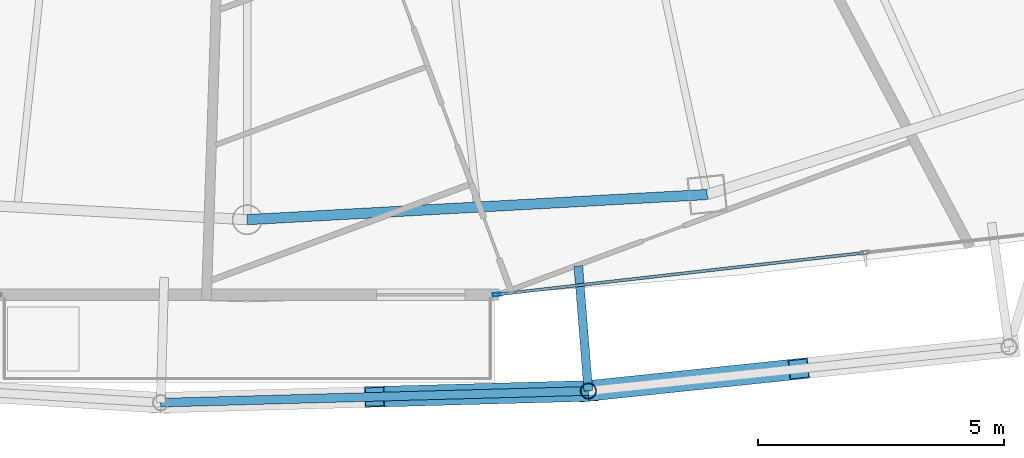
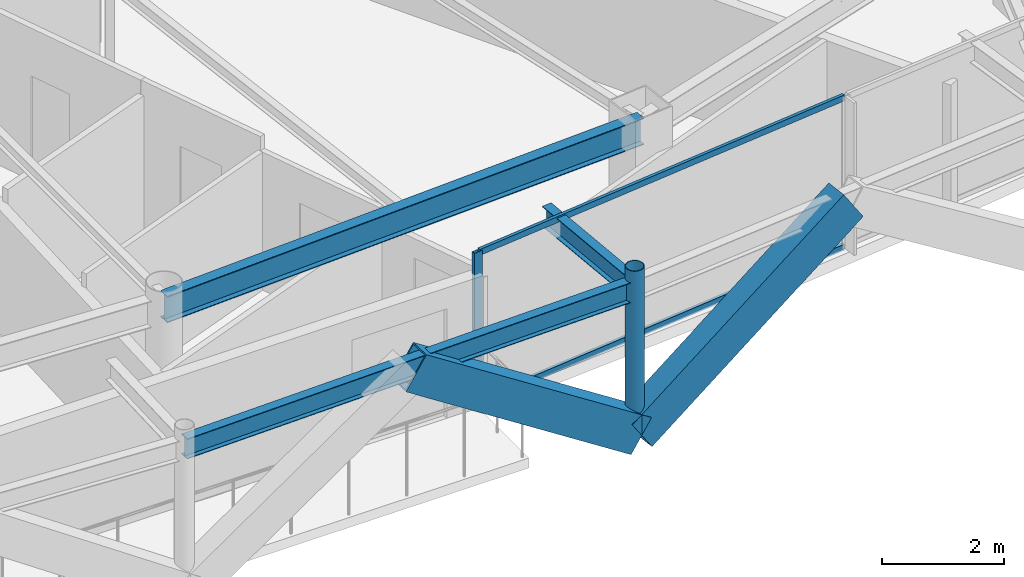
# One storey, part 8 of 30: 6 members, 3 beams, 1 element without a shape of its own.
"""IFC4 building model written with IfcOpenShell, lengths in metres."""

from ifc_helpers import new_model, si_unit, direction, frame, origin, origin_2d, place, context, subcontext, project, spatial, hollow_rectangle, hollow_circle, i_section, extrude, material, layer, layer_set, material_profile, profile_set, type_object, element, aggregate, save


model = new_model("IFC4")

# Units and contexts
model_context = context("Model", 3, precision=1e-05, world=origin(), true_north=direction((0.0, 1.0)))
body_context = subcontext(model_context, "Body", "Model", "MODEL_VIEW")
ifc_project = project(units=[si_unit("LENGTHUNIT", "METRE"), si_unit("AREAUNIT", "SQUARE_METRE"), si_unit("VOLUMEUNIT", "CUBIC_METRE"), si_unit("PLANEANGLEUNIT", "RADIAN"), si_unit("MASSUNIT", "GRAM", prefix="KILO")], contexts=[model_context])

# Site, building, storey
site_placement = place(None, origin())
site = spatial("IfcSite", under=ifc_project, at=site_placement, CompositionType="ELEMENT")
building_placement = place(site_placement, origin())
building = spatial("IfcBuilding", under=site, at=building_placement, Name="Orvanel Arch Residences", CompositionType="ELEMENT")
storey_placement = place(building_placement, frame((0.0, 0.0, 240.35009765625)))
storey = spatial("IfcBuildingStorey", under=building, at=storey_placement, Name="L68", CompositionType="ELEMENT", Elevation=240.35009765625)

# Members
ifc_material_1 = material(Name="Structural steel AS/NZS 3678 Grade 350", Category="steel")
ifc_material_profile_1 = material_profile(ifc_material_1, hollow_rectangle(XDim=0.419921875, YDim=0.719970703125, WallThickness=0.02490234375, at=origin_2d()), Name="RHS720x420x25")
ifc_profile_set_1 = profile_set([ifc_material_profile_1], Name="Structural steel AS/NZS 3678 Grade 350")
member_type_1 = type_object("IfcMemberType", Name="BR-720RHS-EXT", PredefinedType="BRACE", material=ifc_profile_set_1)
member_1_placement = place(storey_placement, frame((39.93408203125, 3.362060546875, 0.0), z_axis=(-0.835466689227, -0.022897211296, 0.549063865963), x_axis=(0.027396205263, -0.999624653526, 0.0)))
element("IfcMember", 1, at=member_1_placement, inside=storey, type_object=member_type_1, Name="L68 Exterior Sky-Garden V-Frame Chevron F2B2.2", PredefinedType="BRACE", context=body_context, shape_type="SweptSolid", body=[
    extrude(hollow_rectangle(XDim=0.419921875, YDim=0.719970703125, WallThickness=0.02490234375, at=origin_2d()), origin(), (0.0, 0.0, 1.0), 5.203369140625),
])
member_2_placement = place(storey_placement, frame((39.93408203125, 3.362060546875, 0.0), z_axis=(0.828402159639, 0.086774629692, 0.553371507712), x_axis=(-0.104179408904, 0.994558520531, 0.0)))
element("IfcMember", 2, at=member_2_placement, inside=storey, type_object=member_type_1, Name="L68 Exterior Sky-Garden V-Frame Chevron F2B3.1", PredefinedType="BRACE", context=body_context, shape_type="SweptSolid", body=[
    extrude(hollow_rectangle(XDim=0.419921875, YDim=0.719970703125, WallThickness=0.02490234375, at=origin_2d()), origin(), (0.0, 0.0, 1.0), 5.162841796875),
])

# Curtain wall, member
ifc_material_2 = material(Name="Bronze-anodised aluminium AA6063-T6", Category="aluminium")
ifc_layer = layer(ifc_material_2, 0.175048828125)
ifc_layer_set = layer_set([ifc_layer], Name="Bronze-anodised aluminium AA6063-T6")
curtain_wall_type = type_object("IfcCurtainWallType", Name="CW4-HI-SYS", PredefinedType="NOTDEFINED", material=ifc_layer_set)
curtain_wall_placement = place(storey_placement, origin())
curtain_wall = element("IfcCurtainWall", 3, at=curtain_wall_placement, inside=storey, type_object=curtain_wall_type, Name="L68 CW4-HI-SYS Unitised Curtain Wall", PredefinedType="NOTDEFINED")
ifc_material_profile_2 = material_profile(ifc_material_2, hollow_rectangle(XDim=0.06494140625, YDim=0.159912109375, WallThickness=0.00390625, at=origin_2d()), Name="ALU160x65x4")
ifc_profile_set_2 = profile_set([ifc_material_profile_2], Name="Bronze-anodised aluminium AA6063-T6")
member_type_2 = type_object("IfcMemberType", Name="MUL-160x65", PredefinedType="MULLION", material=ifc_profile_set_2)
member_3_placement = place(storey_placement, frame((38.07421875, 5.32177734375, 0.0), z_axis=(0.0, 0.0, 1.0), x_axis=(-0.113000186209, 0.993594966733, 0.0)))
member_3 = element("IfcMember", 4, at=member_3_placement, type_object=member_type_2, Name="CW-S4 mullion 1", PredefinedType="MULLION", context=body_context, shape_type="SweptSolid", body=[
    extrude(hollow_rectangle(XDim=0.06494140625, YDim=0.159912109375, WallThickness=0.00390625, at=origin_2d()), origin(), (0.0, 0.0, 1.0), 3.059814453125),
])

# Beams
ifc_material_3 = material(Name="Structural steel AS/NZS 3679.1 Grade 300 (300 MPa)", Category="steel")
ifc_material_profile_3 = material_profile(ifc_material_3, i_section(OverallWidth=0.177978515625, OverallDepth=0.406005859375, WebThickness=0.0078125, FlangeThickness=0.0126953125, at=origin_2d()), Name="410UB59.7")
ifc_profile_set_3 = profile_set([ifc_material_profile_3], Name="Structural steel AS/NZS 3679.1 Grade 300 (300 MPa)")
beam_type_1 = type_object("IfcBeamType", Name="OB-410UB-EXT", PredefinedType="SPANDREL", material=ifc_profile_set_3)
beam_1_placement = place(storey_placement, frame((31.239990234375, 3.123046875, 2.85693359375), z_axis=(0.999622322633, 0.027481122514, 0.0), x_axis=(-0.027481122514, 0.999622322633, 0.0)))
element("IfcBeam", 5, at=beam_1_placement, inside=storey, type_object=beam_type_1, Name="L68 Outer Perimeter Floor Ring Beam 06", PredefinedType="SPANDREL", context=body_context, shape_type="SweptSolid", body=[
    extrude(i_section(OverallWidth=0.177978515625, OverallDepth=0.406005859375, WebThickness=0.0078125, FlangeThickness=0.0126953125, at=origin_2d()), origin(), (0.0, 0.0, 1.0), 8.697265625),
])
beam_2_placement = place(storey_placement, frame((39.72998046875, 5.904052734375, 2.85693359375), z_axis=(0.080034402344, -0.996792101916, 0.0), x_axis=(0.996792101916, 0.080034402344, 0.0)))
element("IfcBeam", 6, at=beam_2_placement, inside=storey, type_object=beam_type_1, Name="L68 Outer Frame Radial Tie Beam 07", PredefinedType="SPANDREL", context=body_context, shape_type="SweptSolid", body=[
    extrude(i_section(OverallWidth=0.177978515625, OverallDepth=0.406005859375, WebThickness=0.0078125, FlangeThickness=0.0126953125, at=origin_2d()), origin(), (0.0, 0.0, 1.0), 2.55029296875),
])
ifc_material_profile_4 = material_profile(ifc_material_3, i_section(OverallWidth=0.208984375, OverallDepth=0.532958984375, WebThickness=0.01025390625, FlangeThickness=0.015625, at=origin_2d()), Name="530UB92.4")
ifc_profile_set_4 = profile_set([ifc_material_profile_4], Name="Structural steel AS/NZS 3679.1 Grade 300 (300 MPa)")
beam_type_2 = type_object("IfcBeamType", Name="SP-530UB", PredefinedType="SPANDREL", material=ifc_profile_set_4)
beam_3_placement = place(storey_placement, frame((33.0, 6.843994140625, 2.79296875), z_axis=(0.998510315598, 0.054563262768, 0.0), x_axis=(-0.054563262768, 0.998510315598, 0.0)))
element("IfcBeam", 7, at=beam_3_placement, inside=storey, type_object=beam_type_2, Name="L68 Perimeter Spandrel Beam 04", PredefinedType="SPANDREL", context=body_context, shape_type="SweptSolid", body=[
    extrude(i_section(OverallWidth=0.208984375, OverallDepth=0.532958984375, WebThickness=0.01025390625, FlangeThickness=0.015625, at=origin_2d()), origin(), (0.0, 0.0, 1.0), 9.364990234375),
])

# Member
ifc_material_4 = material(Name="Structural steel AS/NZS 1163 C350L0 (Grade 350)", Category="steel")
ifc_material_profile_5 = material_profile(ifc_material_4, hollow_circle(Radius=0.162109375, WallThickness=0.0126953125, at=origin_2d()), Name="CHS324x12.7")
ifc_profile_set_5 = profile_set([ifc_material_profile_5], Name="Structural steel AS/NZS 1163 C350L0 (Grade 350)")
member_type_3 = type_object("IfcMemberType", Name="ST-324CHS-EXT", PredefinedType="STRUT", material=ifc_profile_set_5)
member_4_placement = place(storey_placement, frame((39.93408203125, 3.362060546875, 0.0), z_axis=(0.0, 0.0, 1.0), x_axis=(1.0, 0.0, 0.0)))
element("IfcMember", 8, at=member_4_placement, inside=storey, type_object=member_type_3, Name="L68 Outer Perimeter Frame Post 07", PredefinedType="STRUT", context=body_context, shape_type="SweptSolid", body=[
    extrude(hollow_circle(Radius=0.162109375, WallThickness=0.0126953125, at=origin_2d()), origin(), (0.0, 0.0, 1.0), 3.2998046875),
])

ifc_material_profile_6 = material_profile(ifc_material_2, hollow_rectangle(XDim=0.06005859375, YDim=0.1201171875, WallThickness=0.00341796875, at=origin_2d()), Name="ALU120x60x3.5")
ifc_profile_set_6 = profile_set([ifc_material_profile_6], Name="Bronze-anodised aluminium AA6063-T6")
member_type_4 = type_object("IfcMemberType", Name="TRN-120x60", PredefinedType="USERDEFINED", material=ifc_profile_set_6)
member_5_placement = place(storey_placement, frame((38.106689453125, 5.325439453125, 0.02978515625), z_axis=(0.993594408801, 0.113005091922, 0.0), x_axis=(-0.113005091922, 0.993594408801, 0.0)))
member_5 = element("IfcMember", 9, at=member_5_placement, type_object=member_type_4, Name="CW-S4 transom 1.1", ObjectType="TRANSOM", PredefinedType="USERDEFINED", context=body_context, shape_type="SweptSolid", body=[
    extrude(hollow_rectangle(XDim=0.06005859375, YDim=0.1201171875, WallThickness=0.00341796875, at=origin_2d()), origin(), (0.0, 0.0, 1.0), 7.46435546875),
])

member_6_placement = place(storey_placement, frame((38.106689453125, 5.325439453125, 3.02978515625), z_axis=(0.993594408801, 0.113005091922, 0.0), x_axis=(-0.113005091922, 0.993594408801, 0.0)))
member_6 = element("IfcMember", 10, at=member_6_placement, type_object=member_type_4, Name="CW-S4 transom 1.2", ObjectType="TRANSOM", PredefinedType="USERDEFINED", context=body_context, shape_type="SweptSolid", body=[
    extrude(hollow_rectangle(XDim=0.06005859375, YDim=0.1201171875, WallThickness=0.00341796875, at=origin_2d()), origin(), (0.0, 0.0, 1.0), 7.46435546875),
])

aggregate(curtain_wall, [member_3, member_5, member_6])

save(model, "model.ifc")
